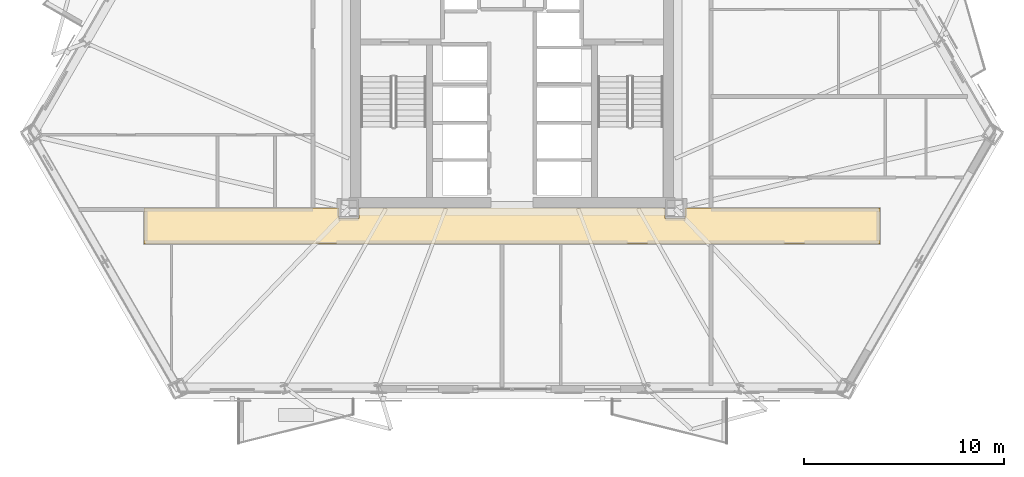
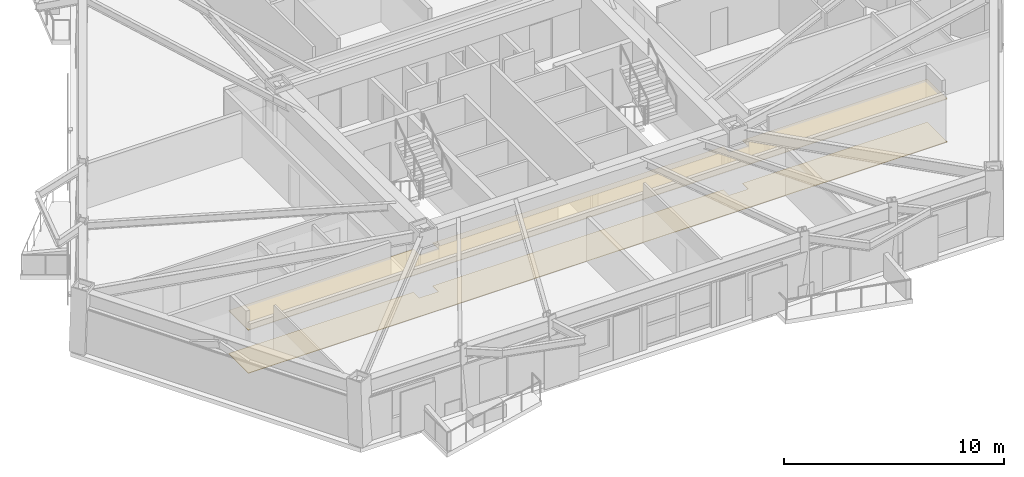
# One storey, part 12 of 15: 2 coverings.
"""IFC4 building model written with IfcOpenShell, lengths in metres."""

from ifc_helpers import new_model, si_unit, direction, frame, origin, place, context, subcontext, project, spatial, polyline, outline, extrude, material, layer, layer_set, type_object, element, save


model = new_model("IFC4")

# Units and contexts
model_context = context("Model", 3, precision=1e-05, world=origin(), true_north=direction((0.0, 1.0)))
body_context = subcontext(model_context, "Body", "Model", "MODEL_VIEW")
ifc_project = project(units=[si_unit("LENGTHUNIT", "METRE"), si_unit("AREAUNIT", "SQUARE_METRE"), si_unit("VOLUMEUNIT", "CUBIC_METRE"), si_unit("PLANEANGLEUNIT", "RADIAN"), si_unit("MASSUNIT", "GRAM", prefix="KILO")], contexts=[model_context])

# Site, building, storey
site_placement = place(None, origin())
site = spatial("IfcSite", under=ifc_project, at=site_placement, CompositionType="ELEMENT")
building_placement = place(site_placement, origin())
building = spatial("IfcBuilding", under=site, at=building_placement, Name="Oramaril Tower", CompositionType="ELEMENT")
storey_placement = place(building_placement, frame((0.0, 0.0, 48.89990234375)))
storey = spatial("IfcBuildingStorey", under=building, at=storey_placement, Name="L12", CompositionType="ELEMENT", Elevation=48.89990234375)

# Coverings
ifc_material_1 = material(Name="Mineral Fibre Acoustic Ceiling")
ifc_layer_1 = layer(ifc_material_1, 0.02001953125)
ifc_layer_set_1 = layer_set([ifc_layer_1], Name="CVT-CEIL")
covering_type_1 = type_object("IfcCoveringType", Name="CVT-CEIL", PredefinedType="CEILING", material=ifc_layer_set_1)
covering_1_placement = place(storey_placement, frame((0.0, 0.0, 2.400146484375)))
element("IfcCovering", 1, at=covering_1_placement, inside=storey, type_object=covering_type_1, Name="L12 Acoustic Suspended Ceiling 1", PredefinedType="CEILING", context=body_context, shape_type="SweptSolid", body=[
    extrude(outline(polyline([(28.85498046875, 10.5048828125), (29.844970703125, 10.5048828125), (29.844970703125, 11.030029296875), (45.155029296875, 11.030029296875), (45.155029296875, 10.5048828125), (46.14501953125, 10.5048828125), (46.14501953125, 11.030029296875), (55.8798828125, 11.030029296875), (55.8798828125, 9.219970703125), (19.1201171875, 9.219970703125), (19.1201171875, 11.030029296875), (28.85498046875, 11.030029296875), (28.85498046875, 10.5048828125)])), origin(), (0.0, 0.0, 1.0), 0.02001953125),
])
ifc_material_2 = material(Name="Honed Quartzite Stone Flooring", Category="masonry")
ifc_layer_2 = layer(ifc_material_2, 0.02490234375)
ifc_layer_set_2 = layer_set([ifc_layer_2], Name="CVT-FLR")
covering_type_2 = type_object("IfcCoveringType", Name="CVT-FLR", PredefinedType="FLOORING", material=ifc_layer_set_2)
covering_2_placement = place(storey_placement, origin())
element("IfcCovering", 2, at=covering_2_placement, inside=storey, type_object=covering_type_2, Name="L12 Honed Stone Floor Finish 1", PredefinedType="FLOORING", context=body_context, shape_type="SweptSolid", body=[
    extrude(outline(polyline([(28.85498046875, 10.5048828125), (29.844970703125, 10.5048828125), (29.844970703125, 11.030029296875), (45.155029296875, 11.030029296875), (45.155029296875, 10.5048828125), (46.14501953125, 10.5048828125), (46.14501953125, 11.030029296875), (55.8798828125, 11.030029296875), (55.8798828125, 9.219970703125), (19.1201171875, 9.219970703125), (19.1201171875, 11.030029296875), (28.85498046875, 11.030029296875), (28.85498046875, 10.5048828125)])), origin(), (0.0, 0.0, 1.0), 0.025146484375),
])

save(model, "model.ifc")
